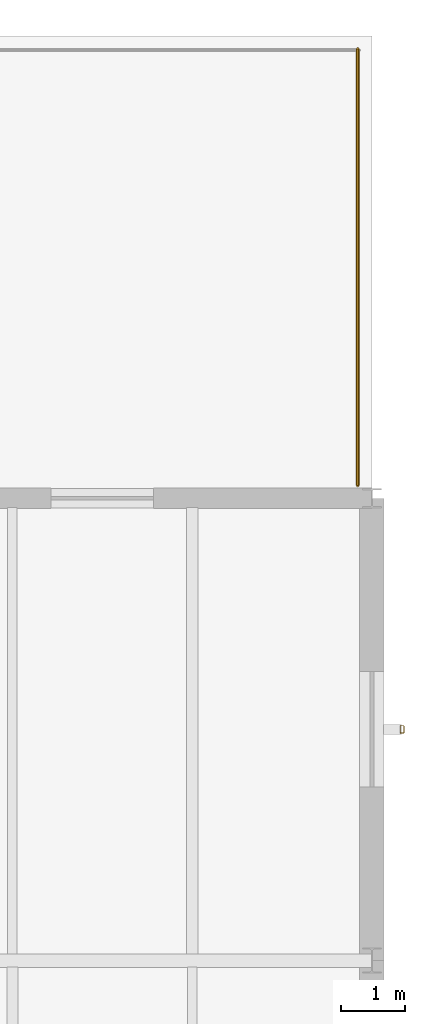
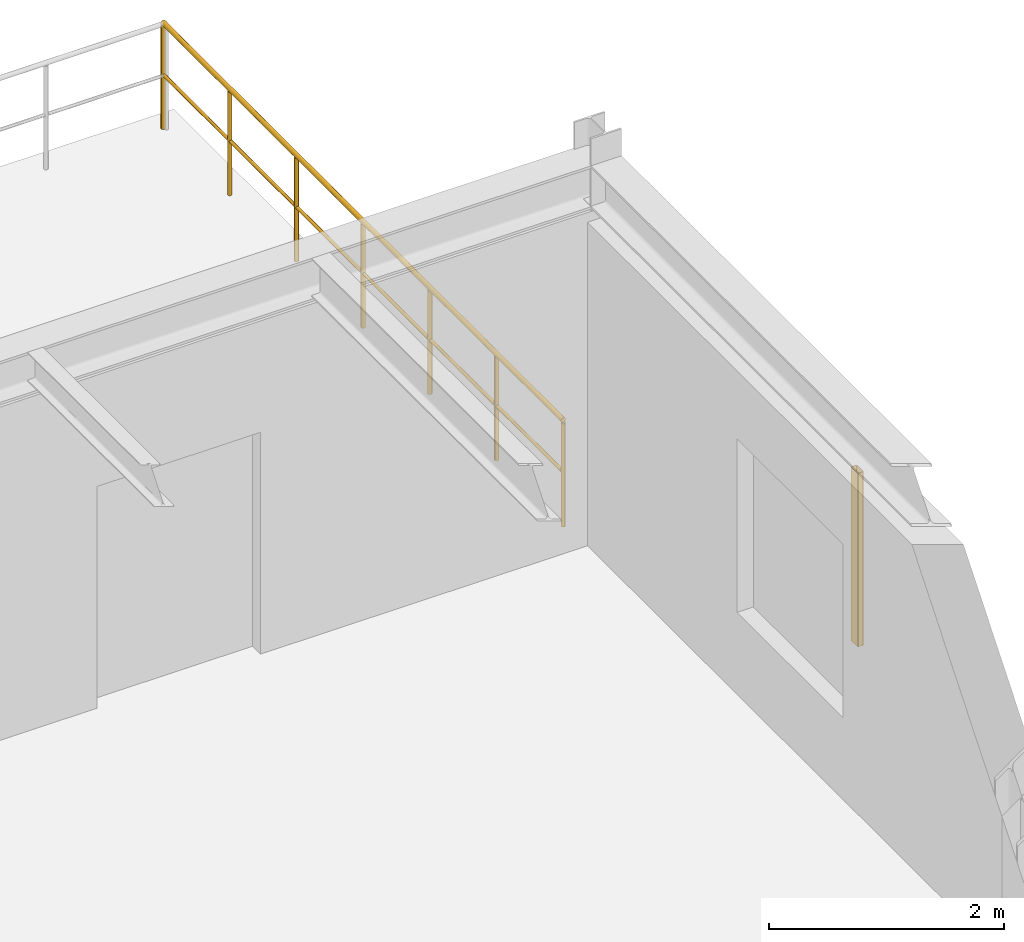
# One storey, part 109 of 109: 1 railing, 1 shading device.
"""IFC4 building model written with IfcOpenShell, lengths in metres."""

from ifc_helpers import new_model, si_unit, derived_unit, direction, frame, origin, origin_2d, place, context, subcontext, project, spatial, hollow_rectangle, circle, extrude, material, material_profile, profile_set, type_object, element, save


model = new_model("IFC4")

# Units and contexts
model_context = context("Model", 3, precision=1e-05, world=origin(), true_north=direction((0.0, 1.0)))
body_context = subcontext(model_context, "Body", "Model", "MODEL_VIEW")
ifc_project = project(units=[si_unit("LENGTHUNIT", "METRE"), si_unit("AREAUNIT", "SQUARE_METRE"), si_unit("VOLUMEUNIT", "CUBIC_METRE"), si_unit("PLANEANGLEUNIT", "RADIAN"), si_unit("MASSUNIT", "GRAM", prefix="KILO"), derived_unit("THERMALTRANSMITTANCEUNIT", [(si_unit("MASSUNIT", "GRAM", prefix="KILO"), 1), (si_unit("TIMEUNIT", "SECOND"), -3), (si_unit("THERMODYNAMICTEMPERATUREUNIT", "KELVIN"), -1)])], contexts=[model_context])

# Site, building, storey
site_placement = place(None, origin())
site = spatial("IfcSite", under=ifc_project, at=site_placement, CompositionType="ELEMENT")
building_placement = place(site_placement, origin())
building = spatial("IfcBuilding", under=site, at=building_placement, Name="Kharveza Railside Sports Centre", CompositionType="ELEMENT")
storey_placement = place(building_placement, frame((0.0, 0.0, 4.5)))
storey = spatial("IfcBuildingStorey", under=building, at=storey_placement, Name="L01", CompositionType="ELEMENT", Elevation=4.5)

# Railing
ifc_material_1 = material(Name="Steel S275JR", Category="steel")
railing_type = type_object("IfcRailingType", Name="RL-GD110", PredefinedType="GUARDRAIL", material=ifc_material_1)
railing_placement = place(storey_placement, frame((167.780029296875, 101.0, 0.0)))
element("IfcRailing", 1, at=railing_placement, inside=storey, type_object=railing_type, Name="RL-TERR-L01-02", PredefinedType="GUARDRAIL", context=body_context, shape_type="SweptSolid", body=[
    extrude(circle(Radius=0.02392578125, at=origin_2d()), frame((0.0, 0.0, 1.09619140625), z_axis=(0.0, 1.0, 0.0), x_axis=(-1.0, 0.0, 0.0)), (0.0, 0.0, 1.0), 6.800048828125),
    extrude(circle(Radius=0.01611328125, at=origin_2d()), frame((0.0, 0.0, 0.56005859375), z_axis=(0.0, 1.0, 0.0), x_axis=(-1.0, 0.0, 0.0)), (0.0, 0.0, 1.0), 6.800048828125),
    extrude(circle(Radius=0.02099609375, at=origin_2d()), origin(), (0.0, 0.0, 1.0), 1.072021484375),
    extrude(circle(Radius=0.02099609375, at=origin_2d()), frame((0.0, 1.13330078125, 0.0)), (0.0, 0.0, 1.0), 1.072021484375),
    extrude(circle(Radius=0.02099609375, at=origin_2d()), frame((0.0, 2.2666015625, 0.0)), (0.0, 0.0, 1.0), 1.072021484375),
    extrude(circle(Radius=0.02099609375, at=origin_2d()), frame((0.0, 3.39990234375, 0.0)), (0.0, 0.0, 1.0), 1.072021484375),
    extrude(circle(Radius=0.02099609375, at=origin_2d()), frame((0.0, 4.533447265625, 0.0)), (0.0, 0.0, 1.0), 1.072021484375),
    extrude(circle(Radius=0.02099609375, at=origin_2d()), frame((0.0, 5.666748046875, 0.0)), (0.0, 0.0, 1.0), 1.072021484375),
    extrude(circle(Radius=0.02099609375, at=origin_2d()), frame((0.0, 6.800048828125, 0.0)), (0.0, 0.0, 1.0), 1.072021484375),
])

# Shading device
ifc_material_2 = material(Name="Anodised aluminium 6063-T6", Category="aluminium")
ifc_material_profile = material_profile(ifc_material_2, hollow_rectangle(XDim=0.06005859375, YDim=0.1201171875, WallThickness=0.0048828125, InnerFilletRadius=0.0048828125, OuterFilletRadius=0.010009765625, at=origin_2d()), Name="RHS 60x120x5.0")
ifc_profile_set = profile_set([ifc_material_profile], Name="Anodised aluminium 6063-T6")
shading_device_type = type_object("IfcShadingDeviceType", Name="SD-LV01", PredefinedType="JALOUSIE", material=ifc_profile_set)
shading_device_placement = place(storey_placement, frame((168.469970703125, 97.199951171875, 0.85009765625), z_axis=(0.0, 0.0, 1.0), x_axis=(1.0, 0.0, 0.0)))
element("IfcShadingDevice", 2, at=shading_device_placement, inside=storey, type_object=shading_device_type, Name="SD-FIN-048", PredefinedType="JALOUSIE", context=body_context, shape_type="SweptSolid", body=[
    extrude(hollow_rectangle(XDim=0.06005859375, YDim=0.1201171875, WallThickness=0.0048828125, InnerFilletRadius=0.0048828125, OuterFilletRadius=0.010009765625, at=origin_2d()), origin(), (0.0, 0.0, 1.0), 1.7998046875),
])

save(model, "model.ifc")
